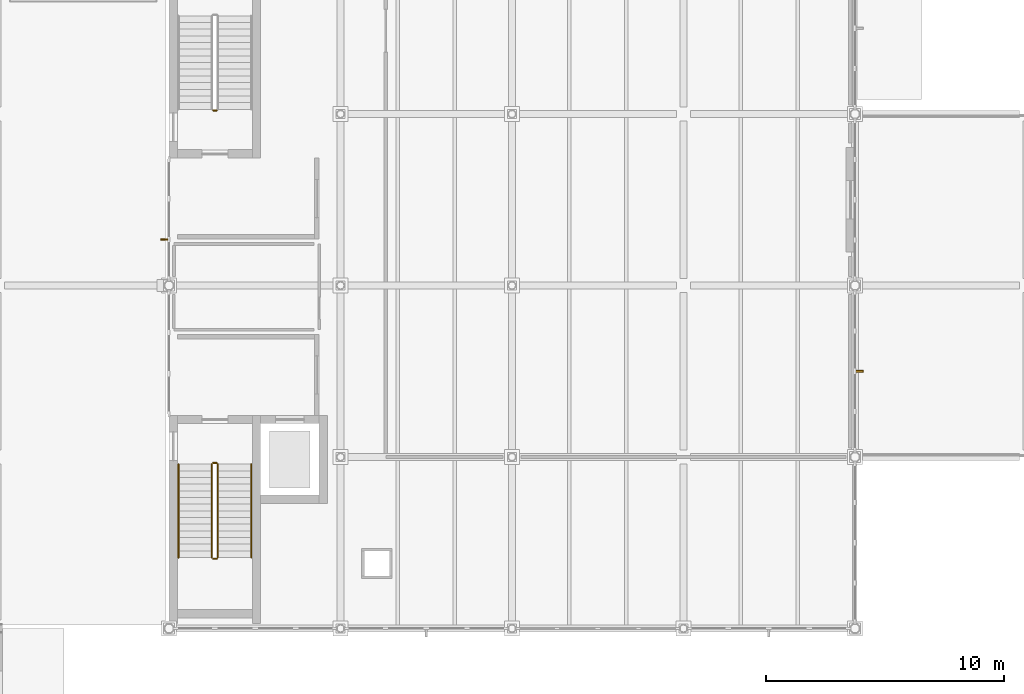
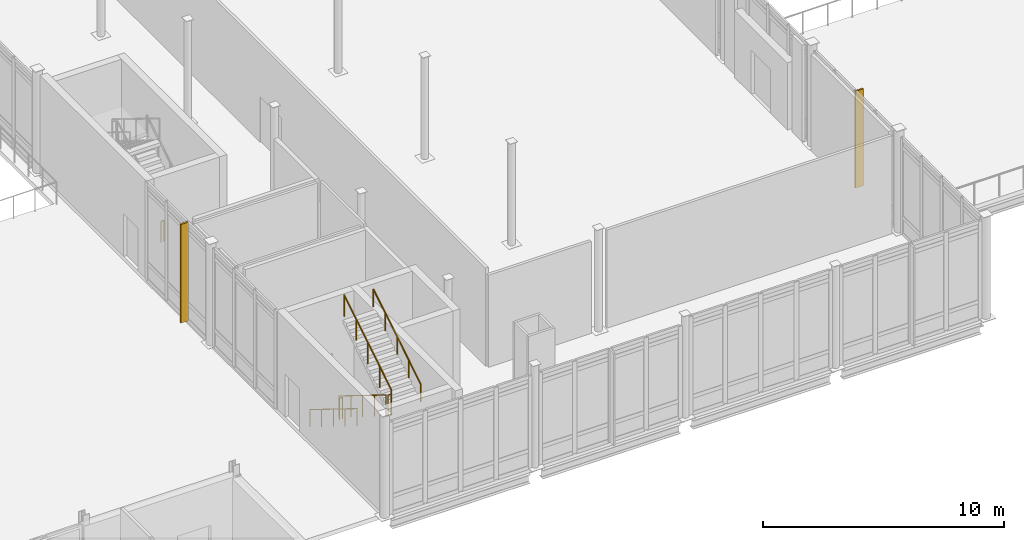
# One storey, part 81 of 89: 7 railings, 2 shading devices.
"""IFC4 building model written with IfcOpenShell, lengths in metres."""

import ifcopenshell
import ifcopenshell.guid

model = None  # the IFC model being written
_history = None  # IfcOwnerHistory: only IFC2X3 demands one
_inside = {}  # id of a spatial element -> (the spatial element, [elements in it])
_under = {}  # id of a project, library or spatial element -> (it, [spatial elements below it])
_declared = {}  # id of a project -> (the project, [libraries it declares])
_typed = {}  # id of a type object -> (the type object, [elements of that type])
_made_of = {}  # id of a material, layer set ... -> (it, [elements and type objects made of it])


def new_model(schema):
    """Start an empty IFC model of exactly this schema.

    Asked for "IFC4X3", IfcOpenShell would pick the latest addendum, in which some entities
    have other attributes; the version numbers below select the first issue.
    IFC2X3 requires an IfcOwnerHistory on every rooted entity: one is made here for all.
    """
    global model, _history
    if schema == "IFC4X3":
        model = ifcopenshell.file(schema_version=(4, 3, 0, 0))
    else:
        model = ifcopenshell.file(schema=schema)
    _inside.clear()
    _under.clear()
    _declared.clear()
    _typed.clear()
    _made_of.clear()
    _history = None
    if model.schema == "IFC2X3":
        org = make("IfcOrganization", Name="unknown")
        user = make(
            "IfcPersonAndOrganization",
            ThePerson=make("IfcPerson", FamilyName="unknown"),
            TheOrganization=org,
        )
        app = make(
            "IfcApplication",
            ApplicationDeveloper=org,
            Version="unknown",
            ApplicationFullName="unknown",
            ApplicationIdentifier="unknown",
        )
        _history = make(
            "IfcOwnerHistory",
            OwningUser=user,
            OwningApplication=app,
            ChangeAction="ADDED",
            CreationDate=0,
        )
    return model


def make(cls, **values):
    """One entity of the class cls with the attributes given. An attribute that is None is left unset."""
    return model.create_entity(
        cls, **{name: value for name, value in values.items() if value is not None}
    )


def rooted(cls, **values):
    """An entity with a GlobalId (a new one), such as an element, a storey or a relation."""
    return make(cls, GlobalId=ifcopenshell.guid.new(), OwnerHistory=_history, **values)


def si_unit(unit_type, name, prefix=None):
    """IfcSIUnit, for example si_unit("LENGTHUNIT", "METRE", prefix="MILLI")."""
    return make("IfcSIUnit", UnitType=unit_type, Prefix=prefix, Name=name)


def assignment(units):
    """IfcUnitAssignment: the units of a project."""
    return None if units is None else make("IfcUnitAssignment", Units=units)


def point(xyz):
    """IfcCartesianPoint."""
    return None if xyz is None else make("IfcCartesianPoint", Coordinates=xyz)


def direction(xyz):
    """IfcDirection."""
    return None if xyz is None else make("IfcDirection", DirectionRatios=xyz)


def frame(location, z_axis=None, x_axis=None):
    """IfcAxis2Placement3D, a coordinate frame: its origin and axes. An axis left out is left unset."""
    return make(
        "IfcAxis2Placement3D",
        Location=point(location),
        Axis=direction(z_axis),
        RefDirection=direction(x_axis),
    )


def frame_2d(location, x_axis=None):
    """IfcAxis2Placement2D, a coordinate frame in the plane: its origin and x axis."""
    return make(
        "IfcAxis2Placement2D", Location=point(location), RefDirection=direction(x_axis)
    )


def origin():
    """The frame at (0, 0, 0) with its axes left unset."""
    return frame((0.0, 0.0, 0.0))


def origin_2d():
    """The frame at (0, 0) in the plane with its x axis left unset."""
    return frame_2d((0.0, 0.0))


def place(relative_to, where):
    """IfcLocalPlacement: puts the frame where relative to a parent placement (None: the world)."""
    return make(
        "IfcLocalPlacement", PlacementRelTo=relative_to, RelativePlacement=where
    )


def context(
    kind, dimensions, precision=None, world=None, true_north=None, identifier=None
):
    """IfcGeometricRepresentationContext, for example the 3D "Model" context."""
    return make(
        "IfcGeometricRepresentationContext",
        ContextIdentifier=identifier,
        ContextType=kind,
        CoordinateSpaceDimension=dimensions,
        Precision=precision,
        WorldCoordinateSystem=world,
        TrueNorth=true_north,
    )


def subcontext(parent, identifier, kind, view, scale=None):
    """IfcGeometricRepresentationSubContext, for example "Body" below "Model"."""
    return make(
        "IfcGeometricRepresentationSubContext",
        ContextIdentifier=identifier,
        ContextType=kind,
        ParentContext=parent,
        TargetScale=scale,
        TargetView=view,
    )


def project(units=None, contexts=None):
    """IfcProject with its units and contexts."""
    return rooted(
        "IfcProject",
        Name="project",
        RepresentationContexts=contexts,
        UnitsInContext=assignment(units),
    )


def spatial(cls, under=None, at=None, **own):
    """A site, building, storey or space (cls), placed at a placement, below another one or the project."""
    s = rooted(cls, ObjectPlacement=at, **own)
    if under is not None:
        _under.setdefault(under.id(), (under, []))[1].append(s)
    return s


def profile(cls, at=None, kind="AREA", **sizes):
    """A parametric profile (cls). Its sizes go by their IFC names, for example OverallWidth=200.0."""
    return make(cls, ProfileType=kind, Position=at, **sizes)


def rectangle(**sizes):
    """IfcRectangleProfileDef."""
    return profile("IfcRectangleProfileDef", **sizes)


def circle(**sizes):
    """IfcCircleProfileDef."""
    return profile("IfcCircleProfileDef", **sizes)


def extrude(swept, where, along, depth):
    """IfcExtrudedAreaSolid: the profile swept, set in the frame where, extruded along a direction by depth."""
    return make(
        "IfcExtrudedAreaSolid",
        SweptArea=swept,
        Position=where,
        ExtrudedDirection=direction(along),
        Depth=depth,
    )


def shape(context_of_items, identifier, shape_type, items):
    """IfcShapeRepresentation: the items that make up one representation, for example the "Body"."""
    return make(
        "IfcShapeRepresentation",
        ContextOfItems=context_of_items,
        RepresentationIdentifier=identifier,
        RepresentationType=shape_type,
        Items=items,
    )


def material(Name=None, Category=None):
    """IfcMaterial."""
    return make("IfcMaterial", Name=Name, Category=Category)


def layer(
    of_material, thickness, ventilated=None, Name=None, Category=None, Priority=None
):
    """IfcMaterialLayer: one layer of a wall or slab, of a material (None: an air gap)."""
    return make(
        "IfcMaterialLayer",
        Material=of_material,
        LayerThickness=thickness,
        IsVentilated=ventilated,
        Name=Name,
        Category=Category,
        Priority=Priority,
    )


def layer_set(layers, Name=None):
    """IfcMaterialLayerSet."""
    return make("IfcMaterialLayerSet", MaterialLayers=layers, LayerSetName=Name)


def made_of(thing, what):
    """Note that an element or type object is made of a material, layer set ...; save() writes the relation."""
    if what is not None:
        _made_of.setdefault(what.id(), (what, []))[1].append(thing)
    return thing


def type_object(cls, material=None, **own):
    """A type object (cls), such as IfcWallType, which elements share."""
    return made_of(rooted(cls, **own), material)


def element(
    cls,
    number,
    at=None,
    inside=None,
    cuts=None,
    type_object=None,
    material=None,
    context=None,
    identifier="Body",
    shape_type=None,
    held_by="IfcProductDefinitionShape",
    body=None,
    shapes=None,
    **own,
):
    """One element of the class cls, such as IfcWall. Its Tag is "e" and its number.

    at: its placement. inside: the storey or other place that contains it. cuts: it is an
    opening in that element (IfcRelVoidsElement). A single representation is given by context,
    identifier, shape_type and body (its items); several are given by shapes. held_by: the class
    of the entity that holds the representations. save() writes the other relations.
    """
    e = rooted(cls, Tag="e%d" % number, ObjectPlacement=at, **own)
    if body is not None:
        shapes = [shape(context, identifier, shape_type, body)]
    if shapes is not None:
        e.Representation = make(held_by, Representations=shapes)
    if inside is not None:
        _inside.setdefault(inside.id(), (inside, []))[1].append(e)
    if cuts is not None:
        rooted(
            "IfcRelVoidsElement", RelatingBuildingElement=cuts, RelatedOpeningElement=e
        )
    if type_object is not None:
        _typed.setdefault(type_object.id(), (type_object, []))[1].append(e)
    return made_of(e, material)


def aggregate(whole, parts):
    """IfcRelAggregates: a whole, such as a stair, and the parts it consists of."""
    return rooted("IfcRelAggregates", RelatingObject=whole, RelatedObjects=parts)


def save(model, path):
    """Write the relations noted so far, then the file.

    IfcRelAggregates (storeys below a building ...), IfcRelContainedInSpatialStructure (elements
    in a storey), IfcRelDefinesByType, IfcRelAssociatesMaterial and IfcRelDeclares: one each for
    every whole, place, type object, material and project.
    """
    for whole, parts in _under.values():
        aggregate(whole, parts)
    for where, things in _inside.values():
        rooted(
            "IfcRelContainedInSpatialStructure",
            RelatedElements=things,
            RelatingStructure=where,
        )
    for kind, things in _typed.values():
        rooted("IfcRelDefinesByType", RelatedObjects=things, RelatingType=kind)
    for what, things in _made_of.values():
        rooted("IfcRelAssociatesMaterial", RelatedObjects=things, RelatingMaterial=what)
    for by, libraries in _declared.values():
        rooted("IfcRelDeclares", RelatingContext=by, RelatedDefinitions=libraries)
    model.write(path)


model = new_model("IFC4")

# Units and contexts
model_context = context("Model", 3, precision=1e-05, world=origin(), true_north=direction((0.0, 1.0)))
body_context = subcontext(model_context, "Body", "Model", "MODEL_VIEW")
ifc_project = project(units=[si_unit("LENGTHUNIT", "METRE"), si_unit("AREAUNIT", "SQUARE_METRE"), si_unit("VOLUMEUNIT", "CUBIC_METRE"), si_unit("PLANEANGLEUNIT", "RADIAN"), si_unit("MASSUNIT", "GRAM", prefix="KILO")], contexts=[model_context])

# Site, building, storey
site_placement = place(None, origin())
site = spatial("IfcSite", under=ifc_project, at=site_placement, CompositionType="ELEMENT")
building_placement = place(site_placement, origin())
building = spatial("IfcBuilding", under=site, at=building_placement, Name="Zarrinpeak Specialist Clinic", CompositionType="ELEMENT")
storey_placement = place(building_placement, origin())
storey = spatial("IfcBuildingStorey", under=building, at=storey_placement, Name="L00", CompositionType="ELEMENT", Elevation=0.0)

# Railings
ifc_material_1 = material(Name="Laminated Safety Glass and Stainless Steel 316", Category="steel")
ifc_layer_1 = layer(ifc_material_1, 0.06005859375)
ifc_layer_set_1 = layer_set([ifc_layer_1], Name="Laminated Safety Glass and Stainless Steel 316")
railing_type_1 = type_object("IfcRailingType", Name="RL-GRD115", PredefinedType="GUARDRAIL", material=ifc_layer_set_1)
railing_1_placement = place(storey_placement, frame((95.39990234375, 35.699951171875, 0.17333984375)))
element("IfcRailing", 1, at=railing_1_placement, inside=storey, type_object=railing_type_1, Name="L00 ST-05 stair guard 1", PredefinedType="GUARDRAIL", context=body_context, shape_type="SweptSolid", body=[
    extrude(circle(Radius=0.02392578125, at=origin_2d()), frame((0.0, 0.0, 1.076171875), z_axis=(0.0, -0.850251603719, 0.526376491091), x_axis=(1.0, 0.0, 0.0)), (0.0, 0.0, 1.0), 4.6103515625),
    extrude(circle(Radius=0.02099609375, at=origin_2d()), origin(), (0.0, 0.0, 1.0), 1.052001953125),
    extrude(circle(Radius=0.02099609375, at=origin_2d()), frame((0.0, -0.97998046875, 0.606689453125)), (0.0, 0.0, 1.0), 1.052001953125),
    extrude(circle(Radius=0.02099609375, at=origin_2d()), frame((0.0, -1.9599609375, 1.21337890625)), (0.0, 0.0, 1.0), 1.052001953125),
    extrude(circle(Radius=0.02099609375, at=origin_2d()), frame((0.0, -2.93994140625, 1.820068359375)), (0.0, 0.0, 1.0), 1.052001953125),
    extrude(circle(Radius=0.02099609375, at=origin_2d()), frame((0.0, -3.919921875, 2.4267578125)), (0.0, 0.0, 1.0), 1.052001953125),
])
railing_2_placement = place(storey_placement, frame((95.449951171875, 31.72998046875, 2.60009765625)))
element("IfcRailing", 2, at=railing_2_placement, inside=storey, type_object=railing_type_1, Name="L00 ST-05 stair guard 2", PredefinedType="GUARDRAIL", context=body_context, shape_type="SweptSolid", body=[
    extrude(circle(Radius=0.02392578125, at=origin_2d()), frame((0.0, 0.0, 1.076171875), z_axis=(1.0, 0.0, 0.0), x_axis=(0.0, 1.0, 0.0)), (0.0, 0.0, 1.0), 0.150146484375),
    extrude(circle(Radius=0.02099609375, at=origin_2d()), origin(), (0.0, 0.0, 1.0), 1.052001953125),
    extrude(circle(Radius=0.02099609375, at=origin_2d()), frame((0.150146484375, 0.0, 0.0)), (0.0, 0.0, 1.0), 1.052001953125),
])
railing_3_placement = place(storey_placement, frame((95.64990234375, 31.780029296875, 2.7734375)))
element("IfcRailing", 3, at=railing_3_placement, inside=storey, type_object=railing_type_1, Name="L00 ST-05 stair guard 3", PredefinedType="GUARDRAIL", context=body_context, shape_type="SweptSolid", body=[
    extrude(circle(Radius=0.02392578125, at=origin_2d()), frame((0.0, 0.0, 1.076171875), z_axis=(0.0, 0.850275303828, 0.526338206574), x_axis=(-1.0, 0.0, 0.0)), (0.0, 0.0, 1.0), 4.610107421875),
    extrude(circle(Radius=0.02099609375, at=origin_2d()), origin(), (0.0, 0.0, 1.0), 1.052001953125),
    extrude(circle(Radius=0.02099609375, at=origin_2d()), frame((0.0, 0.97998046875, 0.606689453125)), (0.0, 0.0, 1.0), 1.052001953125),
    extrude(circle(Radius=0.02099609375, at=origin_2d()), frame((0.0, 1.9599609375, 1.21337890625)), (0.0, 0.0, 1.0), 1.052001953125),
    extrude(circle(Radius=0.02099609375, at=origin_2d()), frame((0.0, 2.93994140625, 1.81982421875)), (0.0, 0.0, 1.0), 1.052001953125),
    extrude(circle(Radius=0.02099609375, at=origin_2d()), frame((0.0, 3.919921875, 2.426513671875)), (0.0, 0.0, 1.0), 1.052001953125),
])
railing_4_placement = place(storey_placement, frame((95.449951171875, 35.75, 0.0)))
element("IfcRailing", 4, at=railing_4_placement, inside=storey, type_object=railing_type_1, Name="L00 ST-05 stair guard 4", PredefinedType="GUARDRAIL", context=body_context, shape_type="SweptSolid", body=[
    extrude(circle(Radius=0.02392578125, at=origin_2d()), frame((0.0, 0.0, 1.076171875), z_axis=(1.0, 0.0, 0.0), x_axis=(0.0, 1.0, 0.0)), (0.0, 0.0, 1.0), 0.150146484375),
    extrude(circle(Radius=0.02099609375, at=origin_2d()), origin(), (0.0, 0.0, 1.0), 1.052001953125),
    extrude(circle(Radius=0.02099609375, at=origin_2d()), frame((0.150146484375, 0.0, 0.0)), (0.0, 0.0, 1.0), 1.052001953125),
])
railing_5_placement = place(storey_placement, frame((95.60009765625, 50.550048828125, 0.0)))
element("IfcRailing", 5, at=railing_5_placement, inside=storey, type_object=railing_type_1, Name="L00 ST-06 stair guard 4", PredefinedType="GUARDRAIL", context=body_context, shape_type="SweptSolid", body=[
    extrude(circle(Radius=0.02392578125, at=origin_2d()), frame((0.0, 0.0, 1.076171875), z_axis=(-1.0, 0.0, 0.0), x_axis=(0.0, -1.0, 0.0)), (0.0, 0.0, 1.0), 0.150146484375),
    extrude(circle(Radius=0.02099609375, at=origin_2d()), origin(), (0.0, 0.0, 1.0), 1.052001953125),
    extrude(circle(Radius=0.02099609375, at=origin_2d()), frame((-0.150146484375, 0.0, 0.0)), (0.0, 0.0, 1.0), 1.052001953125),
])
ifc_material_2 = material(Name="Brushed Stainless Steel 316 Handrail", Category="steel")
ifc_layer_2 = layer(ifc_material_2, 0.050048828125)
ifc_layer_set_2 = layer_set([ifc_layer_2], Name="Brushed Stainless Steel 316 Handrail")
railing_type_2 = type_object("IfcRailingType", Name="RL-HND92", PredefinedType="HANDRAIL", material=ifc_layer_set_2)
railing_6_placement = place(storey_placement, frame((94.0, 35.699951171875, 0.17333984375)))
element("IfcRailing", 6, at=railing_6_placement, inside=storey, type_object=railing_type_2, Name="L00 ST-05 stair handrail 1", PredefinedType="HANDRAIL", context=body_context, shape_type="SweptSolid", body=[
    extrude(circle(Radius=0.02392578125, at=origin_2d()), frame((0.0, 0.0, 0.8759765625), z_axis=(0.0, -0.850251603719, 0.526376491091), x_axis=(1.0, 0.0, 0.0)), (0.0, 0.0, 1.0), 4.6103515625),
    extrude(circle(Radius=0.02099609375, at=origin_2d()), origin(), (0.0, 0.0, 1.0), 0.851806640625),
    extrude(circle(Radius=0.02099609375, at=origin_2d()), frame((0.0, -0.97998046875, 0.606689453125)), (0.0, 0.0, 1.0), 0.851806640625),
    extrude(circle(Radius=0.02099609375, at=origin_2d()), frame((0.0, -1.9599609375, 1.21337890625)), (0.0, 0.0, 1.0), 0.851806640625),
    extrude(circle(Radius=0.02099609375, at=origin_2d()), frame((0.0, -2.93994140625, 1.820068359375)), (0.0, 0.0, 1.0), 0.851806640625),
    extrude(circle(Radius=0.02099609375, at=origin_2d()), frame((0.0, -3.919921875, 2.4267578125)), (0.0, 0.0, 1.0), 0.851806640625),
])
railing_7_placement = place(storey_placement, frame((97.050048828125, 31.780029296875, 2.7734375)))
element("IfcRailing", 7, at=railing_7_placement, inside=storey, type_object=railing_type_2, Name="L00 ST-05 stair handrail 2", PredefinedType="HANDRAIL", context=body_context, shape_type="SweptSolid", body=[
    extrude(circle(Radius=0.02392578125, at=origin_2d()), frame((0.0, 0.0, 0.8759765625), z_axis=(0.0, 0.850275303828, 0.526338206574), x_axis=(-1.0, 0.0, 0.0)), (0.0, 0.0, 1.0), 4.610107421875),
    extrude(circle(Radius=0.02099609375, at=origin_2d()), origin(), (0.0, 0.0, 1.0), 0.851806640625),
    extrude(circle(Radius=0.02099609375, at=origin_2d()), frame((0.0, 0.97998046875, 0.606689453125)), (0.0, 0.0, 1.0), 0.851806640625),
    extrude(circle(Radius=0.02099609375, at=origin_2d()), frame((0.0, 1.9599609375, 1.21337890625)), (0.0, 0.0, 1.0), 0.851806640625),
    extrude(circle(Radius=0.02099609375, at=origin_2d()), frame((0.0, 2.93994140625, 1.81982421875)), (0.0, 0.0, 1.0), 0.851806640625),
    extrude(circle(Radius=0.02099609375, at=origin_2d()), frame((0.0, 3.919921875, 2.426513671875)), (0.0, 0.0, 1.0), 0.851806640625),
])

# Shading devices
ifc_material_3 = material(Name="Anodised Bronze Aluminium", Category="aluminium")
shading_device_type = type_object("IfcShadingDeviceType", Name="SHD-FIN-BZ", PredefinedType="JALOUSIE", material=ifc_material_3)
shading_device_1_placement = place(storey_placement, frame((93.43505859375, 45.135498046875, -0.014892578125), z_axis=(0.0, 0.0, 1.0), x_axis=(1.0, 0.0, 0.0)))
element("IfcShadingDevice", 8, at=shading_device_1_placement, inside=storey, type_object=shading_device_type, Name="L00 V3 Solar Control Fin FIN-058", PredefinedType="JALOUSIE", context=body_context, shape_type="SweptSolid", body=[
    extrude(rectangle(XDim=0.3798828125, YDim=0.074951171875, at=origin_2d()), origin(), (0.0, 0.0, 1.0), 5.0),
])
shading_device_2_placement = place(storey_placement, frame((122.56494140625, 39.60009765625, -0.01513671875), z_axis=(0.0, 0.0, 1.0), x_axis=(1.0, 0.0, 0.0)))
element("IfcShadingDevice", 9, at=shading_device_2_placement, inside=storey, type_object=shading_device_type, Name="L00 V3 Solar Control Fin FIN-060", PredefinedType="JALOUSIE", context=body_context, shape_type="SweptSolid", body=[
    extrude(rectangle(XDim=0.3798828125, YDim=0.074951171875, at=origin_2d()), origin(), (0.0, 0.0, 1.0), 4.905029296875),
])

save(model, "model.ifc")
